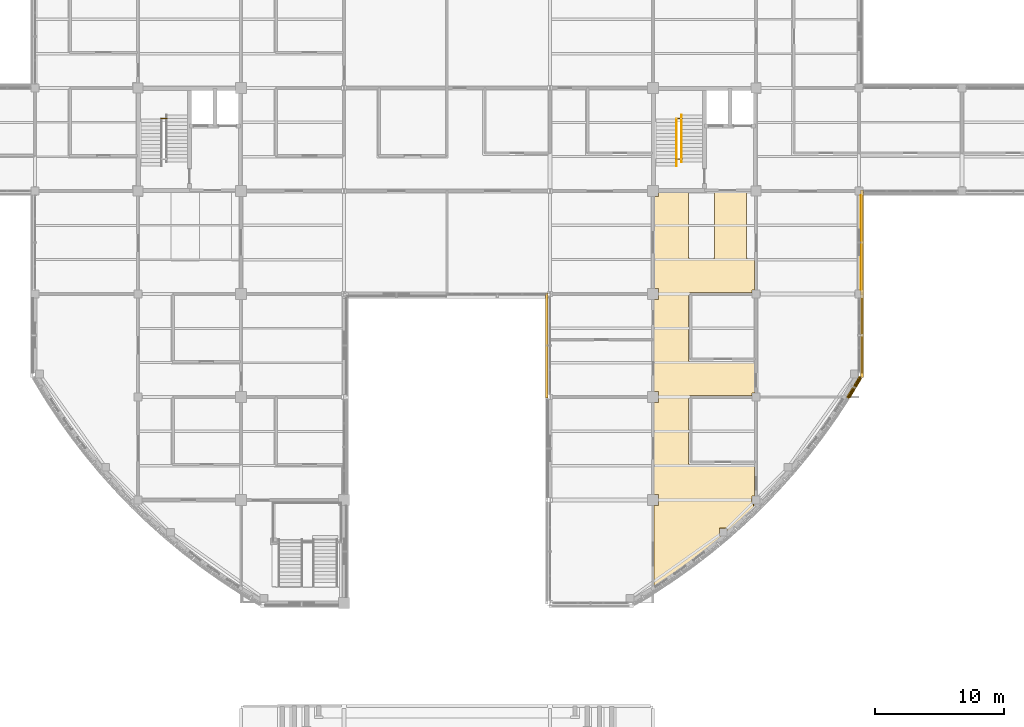
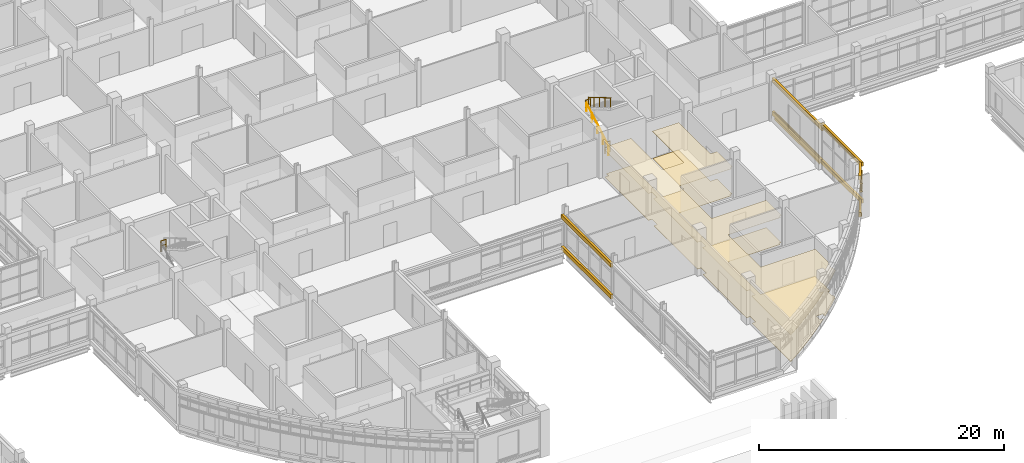
# One storey, part 113 of 121: 11 coverings, 5 railings, 4 shading devices.
"""IFC4 building model written with IfcOpenShell, lengths in metres."""

from ifc_helpers import new_model, si_unit, derived_unit, direction, frame, origin, origin_2d, place, context, subcontext, project, spatial, polyline, rectangle, circle, outline, extrude, material, layer, layer_set, material_profile, profile_set, type_object, element, save


model = new_model("IFC4")

# Units and contexts
model_context = context("Model", 3, precision=1e-05, world=origin(), true_north=direction((0.0, 1.0)))
body_context = subcontext(model_context, "Body", "Model", "MODEL_VIEW")
ifc_project = project(units=[si_unit("LENGTHUNIT", "METRE"), si_unit("AREAUNIT", "SQUARE_METRE"), si_unit("VOLUMEUNIT", "CUBIC_METRE"), si_unit("PLANEANGLEUNIT", "RADIAN"), si_unit("MASSUNIT", "GRAM", prefix="KILO"), derived_unit("THERMALTRANSMITTANCEUNIT", [(si_unit("MASSUNIT", "GRAM", prefix="KILO"), 1), (si_unit("TIMEUNIT", "SECOND"), -3), (si_unit("THERMODYNAMICTEMPERATUREUNIT", "KELVIN"), -1)])], contexts=[model_context])

# Site, building, storey
site_placement = place(None, origin())
site = spatial("IfcSite", under=ifc_project, at=site_placement, CompositionType="ELEMENT")
building_placement = place(site_placement, origin())
building = spatial("IfcBuilding", under=site, at=building_placement, Name="Veyamyaing Civic Hall", CompositionType="ELEMENT")
storey_placement = place(building_placement, frame((0.0, 0.0, 5.280029296875)))
storey = spatial("IfcBuildingStorey", under=building, at=storey_placement, Name="L01", CompositionType="ELEMENT", Elevation=5.280029296875)

# Coverings
ifc_material_1 = material(Name="Buff sandstone ashlar cladding", Category="masonry")
ifc_layer_1 = layer(ifc_material_1, 0.050048828125, Name="Buff sandstone ashlar cladding")
ifc_layer_set_1 = layer_set([ifc_layer_1], Name="Buff sandstone ashlar cladding")
covering_type_1 = type_object("IfcCoveringType", Name="CL-01", PredefinedType="CLADDING", material=ifc_layer_set_1)
covering_1_placement = place(storey_placement, frame((120.173583984375, 44.0, 0.044921875), z_axis=(0.0, 0.0, 1.0), x_axis=(0.0, 1.0, 0.0)))
element("IfcCovering", 1, at=covering_1_placement, inside=storey, type_object=covering_type_1, Name="Facade spandrel cladding CL-01 L01 E 15.6", PredefinedType="CLADDING", context=body_context, shape_type="SweptSolid", body=[
    extrude(rectangle(XDim=7.35009765625, YDim=0.050048828125, at=origin_2d()), origin(), (0.0, 0.0, 1.0), 0.75),
])
ifc_material_2 = material(Name="White powder-coated aluminium 6063-T6", Category="aluminium")
ifc_layer_2 = layer(ifc_material_2, 0.2099609375, Name="White powder-coated aluminium 6063-T6")
ifc_layer_set_2 = layer_set([ifc_layer_2], Name="White powder-coated aluminium 6063-T6")
covering_type_2 = type_object("IfcCoveringType", Name="CL-03", PredefinedType="CLADDING", material=ifc_layer_set_2)
for number, where, z_axis, x_axis, name in (
    (2, (119.605224609375, 32.75927734375, 0.27001953125), (0.0, 0.0, 1.0), (0.516106513571, 0.856524411006, 0.0), "Continuous white corner ribbon CL-03 L01 SE.14.1"),
    (3, (119.605224609375, 32.75927734375, 3.945068359375), (0.0, 0.0, 1.0), (0.516106513571, 0.856524411006, 0.0), "Continuous white corner ribbon CL-03 L01 SE.14.2"),
):
    element("IfcCovering", number, at=place(storey_placement, frame(where, z_axis=z_axis, x_axis=x_axis)), inside=storey, type_object=covering_type_2, Name=name, PredefinedType="CLADDING", context=body_context, shape_type="SweptSolid", body=[
        extrude(rectangle(XDim=1.93505859375, YDim=0.2099609375, at=origin_2d()), origin(), (0.0, 0.0, 1.0), 0.419921875),
    ])
for number, where, z_axis, x_axis, name in (
    (4, (95.760009765625, 36.0, 3.4140625), (0.0, 0.0, 1.0), (0.0, 1.0, 0.0), "Continuous white head fascia ribbon CL-03 L01 W 13.5"),
    (5, (95.760009765625, 36.0, 0.280029296875), (0.0, 0.0, 1.0), (0.0, 1.0, 0.0), "Continuous white sill fascia ribbon CL-03 L01 W 13.5"),
):
    element("IfcCovering", number, at=place(storey_placement, frame(where, z_axis=z_axis, x_axis=x_axis)), inside=storey, type_object=covering_type_2, Name=name, PredefinedType="CLADDING", context=body_context, shape_type="SweptSolid", body=[
        extrude(rectangle(XDim=8.1201171875, YDim=0.2099609375, at=origin_2d()), origin(), (0.0, 0.0, 1.0), 0.39990234375),
    ])
for number, where, z_axis, x_axis, name in (
    (6, (120.239990234375, 36.78466796875, 3.955078125), (0.0, 0.0, 1.0), (0.0, 1.0, 0.0), "Continuous white head fascia ribbon CL-03 L01 E 15.5"),
    (7, (120.239990234375, 36.78466796875, 0.280029296875), (0.0, 0.0, 1.0), (0.0, 1.0, 0.0), "Continuous white sill fascia ribbon CL-03 L01 E 15.5"),
):
    element("IfcCovering", number, at=place(storey_placement, frame(where, z_axis=z_axis, x_axis=x_axis)), inside=storey, type_object=covering_type_2, Name=name, PredefinedType="CLADDING", context=body_context, shape_type="SweptSolid", body=[
        extrude(rectangle(XDim=6.55078125, YDim=0.2099609375, at=origin_2d()), origin(), (0.0, 0.0, 1.0), 0.39990234375),
    ])
for number, where, z_axis, x_axis, name in (
    (8, (120.239990234375, 44.0, 3.593994140625), (0.0, 0.0, 1.0), (0.0, 1.0, 0.0), "Continuous white head fascia ribbon CL-03 L01 E 15.6"),
    (9, (120.239990234375, 44.0, 0.280029296875), (0.0, 0.0, 1.0), (0.0, 1.0, 0.0), "Continuous white sill fascia ribbon CL-03 L01 E 15.6"),
):
    element("IfcCovering", number, at=place(storey_placement, frame(where, z_axis=z_axis, x_axis=x_axis)), inside=storey, type_object=covering_type_2, Name=name, PredefinedType="CLADDING", context=body_context, shape_type="SweptSolid", body=[
        extrude(rectangle(XDim=8.1201171875, YDim=0.2099609375, at=origin_2d()), origin(), (0.0, 0.0, 1.0), 0.39990234375),
    ])
ifc_material_3 = material(Name="Perforated acoustic gypsum ceiling board")
ifc_layer_3 = layer(ifc_material_3, 0.02490234375, Name="Perforated acoustic gypsum ceiling board")
ifc_layer_set_3 = layer_set([ifc_layer_3], Name="Perforated acoustic gypsum ceiling board")
covering_type_3 = type_object("IfcCoveringType", Name="CLG-01", PredefinedType="CEILING", material=ifc_layer_set_3)
covering_2_placement = place(storey_placement, frame((0.0, 0.0, 2.699951171875)))
element("IfcCovering", 10, at=covering_2_placement, inside=storey, type_object=covering_type_3, Name="Acoustic suspended ceiling CLG-01 L01-C05", PredefinedType="CEILING", context=body_context, shape_type="SweptSolid", body=[
    extrude(outline(polyline([(106.78076171875, 42.822021484375), (106.79736328125, 42.79736328125), (106.821533203125, 42.78125), (106.8525390625, 42.77490234375), (108.6982421875, 42.77490234375), (108.7216796875, 42.778564453125), (108.741455078125, 42.787841796875), (108.7578125, 42.802490234375), (108.768798828125, 42.82080078125), (108.77490234375, 42.8525390625), (108.77490234375, 47.925048828125), (111.27490234375, 47.925048828125), (111.275390625, 42.84326171875), (111.28076171875, 42.822021484375), (111.29736328125, 42.79736328125), (111.322021484375, 42.78076171875), (111.34326171875, 42.775390625), (111.925048828125, 42.77490234375), (111.925048828125, 40.284912109375), (111.715087890625, 40.284912109375), (111.715087890625, 40.074951171875), (106.8525390625, 40.074951171875), (106.821533203125, 40.06884765625), (106.79736328125, 40.052734375), (106.78125, 40.028564453125), (106.77490234375, 39.99755859375), (106.77490234375, 34.8525390625), (106.78125, 34.821533203125), (106.79736328125, 34.79736328125), (106.821533203125, 34.78125), (106.8525390625, 34.77490234375), (111.925048828125, 34.77490234375), (111.925048828125, 32.284912109375), (111.715087890625, 32.284912109375), (111.715087890625, 32.074951171875), (106.8525390625, 32.074951171875), (106.821533203125, 32.06884765625), (106.79736328125, 32.052734375), (106.78125, 32.028564453125), (106.77490234375, 31.99755859375), (106.77490234375, 26.8525390625), (106.78125, 26.821533203125), (106.79736328125, 26.79736328125), (106.821533203125, 26.78125), (106.8525390625, 26.77490234375), (111.925048828125, 26.77490234375), (111.925048828125, 24.284912109375), (111.715087890625, 24.284912109375), (111.715087890625, 23.715087890625), (111.844970703125, 23.715087890625), (111.844970703125, 23.335693359375), (110.9736328125, 22.496337890625), (109.751708984375, 21.404296875), (109.751708984375, 21.789794921875), (109.181640625, 21.789794921875), (109.181640625, 21.219970703125), (109.537841796875, 21.219970703125), (108.26171875, 20.16259765625), (106.842041015625, 19.0732421875), (105.3828125, 18.037841796875), (104.074951171875, 17.181396484375), (104.074951171875, 23.590087890625), (104.409912109375, 23.590087890625), (104.409912109375, 24.409912109375), (104.074951171875, 24.409912109375), (104.074951171875, 31.590087890625), (104.409912109375, 31.590087890625), (104.409912109375, 32.409912109375), (104.074951171875, 32.409912109375), (104.074951171875, 39.590087890625), (104.409912109375, 39.590087890625), (104.409912109375, 40.409912109375), (104.074951171875, 40.409912109375), (104.074951171875, 47.590087890625), (104.409912109375, 47.590087890625), (104.409912109375, 47.925048828125), (106.77490234375, 47.925048828125), (106.775390625, 42.84326171875), (106.78076171875, 42.822021484375)])), origin(), (0.0, 0.0, 1.0), 0.02490234375),
])
ifc_material_4 = material(Name="Polished Mandalay marble and terrazzo flooring", Category="masonry")
ifc_layer_4 = layer(ifc_material_4, 0.030029296875, Name="Polished Mandalay marble and terrazzo flooring")
ifc_layer_set_4 = layer_set([ifc_layer_4], Name="Polished Mandalay marble and terrazzo flooring")
covering_type_4 = type_object("IfcCoveringType", Name="FLR-01", PredefinedType="FLOORING", material=ifc_layer_set_4)
covering_3_placement = place(storey_placement, origin())
element("IfcCovering", 11, at=covering_3_placement, inside=storey, type_object=covering_type_4, Name="Stone and terrazzo flooring FLR-01 L01-C05", PredefinedType="FLOORING", context=body_context, shape_type="SweptSolid", body=[
    extrude(outline(polyline([(106.757568359375, 42.811767578125), (106.779296875, 42.779296875), (106.811767578125, 42.757568359375), (106.85009765625, 42.75), (108.699951171875, 42.75), (108.72900390625, 42.75439453125), (108.755615234375, 42.766845703125), (108.77734375, 42.78662109375), (108.79248046875, 42.811767578125), (108.800048828125, 42.85009765625), (108.800048828125, 47.89990234375), (111.25, 47.89990234375), (111.25048828125, 42.840087890625), (111.257568359375, 42.811767578125), (111.279296875, 42.779296875), (111.311767578125, 42.757568359375), (111.340087890625, 42.75048828125), (111.89990234375, 42.75), (111.89990234375, 40.31005859375), (111.68994140625, 40.31005859375), (111.68994140625, 40.10009765625), (106.85009765625, 40.10009765625), (106.811767578125, 40.09228515625), (106.779296875, 40.07080078125), (106.757568359375, 40.038330078125), (106.75, 40.0), (106.75, 34.85009765625), (106.757568359375, 34.811767578125), (106.779296875, 34.779296875), (106.811767578125, 34.757568359375), (106.85009765625, 34.75), (111.89990234375, 34.75), (111.89990234375, 32.31005859375), (111.68994140625, 32.31005859375), (111.68994140625, 32.10009765625), (106.85009765625, 32.10009765625), (106.811767578125, 32.09228515625), (106.779296875, 32.07080078125), (106.757568359375, 32.038330078125), (106.75, 32.0), (106.75, 26.85009765625), (106.757568359375, 26.811767578125), (106.779296875, 26.779296875), (106.811767578125, 26.757568359375), (106.85009765625, 26.75), (111.89990234375, 26.75), (111.89990234375, 24.31005859375), (111.68994140625, 24.31005859375), (111.68994140625, 23.68994140625), (111.820068359375, 23.68994140625), (111.820068359375, 23.346435546875), (110.95654296875, 22.5146484375), (109.776611328125, 21.460205078125), (109.776611328125, 21.81494140625), (109.156494140625, 21.81494140625), (109.156494140625, 21.19482421875), (109.468505859375, 21.19482421875), (108.24609375, 20.18212890625), (106.8271484375, 19.093505859375), (105.36865234375, 18.05859375), (104.10009765625, 17.227783203125), (104.10009765625, 23.56494140625), (104.43505859375, 23.56494140625), (104.43505859375, 24.43505859375), (104.10009765625, 24.43505859375), (104.10009765625, 31.56494140625), (104.43505859375, 31.56494140625), (104.43505859375, 32.43505859375), (104.10009765625, 32.43505859375), (104.10009765625, 39.56494140625), (104.43505859375, 39.56494140625), (104.43505859375, 40.43505859375), (104.10009765625, 40.43505859375), (104.10009765625, 47.56494140625), (104.43505859375, 47.56494140625), (104.43505859375, 47.89990234375), (106.75, 47.89990234375), (106.75048828125, 42.840087890625), (106.757568359375, 42.811767578125)])), origin(), (0.0, 0.0, 1.0), 0.030029296875),
])

# Railings
ifc_material_5 = material(Name="Steel S355J2", Category="steel")
railing_type_1 = type_object("IfcRailingType", Name="RL-01", PredefinedType="BALUSTRADE", material=ifc_material_5)
for number, where, name in (
    (12, (65.780029296875, 53.6298828125, 2.31005859375), "Half-landing slot guard RL-01 ST-05 L01"),
    (13, (105.780029296875, 53.6298828125, 2.31005859375), "Half-landing slot guard RL-01 ST-06 L01"),
):
    element("IfcRailing", number, at=place(storey_placement, frame(where)), inside=storey, type_object=railing_type_1, Name=name, PredefinedType="BALUSTRADE", context=body_context, shape_type="SweptSolid", body=[
        extrude(circle(Radius=0.02392578125, at=origin_2d()), frame((0.0, 0.0, 1.076171875), z_axis=(1.0, 0.0, 0.0), x_axis=(0.0, 1.0, 0.0)), (0.0, 0.0, 1.0), 0.489990234375),
        extrude(circle(Radius=0.01416015625, at=origin_2d()), frame((0.0, 0.0, 0.572021484375), z_axis=(1.0, 0.0, 0.0), x_axis=(0.0, 1.0, 0.0)), (0.0, 0.0, 1.0), 0.489990234375),
        extrude(circle(Radius=0.02099609375, at=origin_2d()), origin(), (0.0, 0.0, 1.0), 1.052001953125),
        extrude(circle(Radius=0.02099609375, at=origin_2d()), frame((0.489990234375, 0.0, 0.0)), (0.0, 0.0, 1.0), 1.052001953125),
    ])
railing_1_placement = place(storey_placement, frame((105.800048828125, 50.47998046875, 0.0)))
element("IfcRailing", 14, at=railing_1_placement, inside=storey, type_object=railing_type_1, Name="Floor-landing slot guard RL-01 ST-06 L01", PredefinedType="BALUSTRADE", context=body_context, shape_type="SweptSolid", body=[
    extrude(circle(Radius=0.02392578125, at=origin_2d()), frame((0.0, 0.0, 1.076171875), z_axis=(1.0, 0.0, 0.0), x_axis=(0.0, 1.0, 0.0)), (0.0, 0.0, 1.0), 0.469970703125),
    extrude(circle(Radius=0.01416015625, at=origin_2d()), frame((0.0, 0.0, 0.572021484375), z_axis=(1.0, 0.0, 0.0), x_axis=(0.0, 1.0, 0.0)), (0.0, 0.0, 1.0), 0.469970703125),
    extrude(circle(Radius=0.02099609375, at=origin_2d()), origin(), (0.0, 0.0, 1.0), 1.052001953125),
    extrude(circle(Radius=0.02099609375, at=origin_2d()), frame((0.469970703125, 0.0, 0.0)), (0.0, 0.0, 1.0), 1.052001953125),
])
railing_type_2 = type_object("IfcRailingType", Name="RL-02", PredefinedType="HANDRAIL", material=ifc_material_5)
railing_2_placement = place(storey_placement, frame((105.840087890625, 49.949951171875, 0.1650390625)))
element("IfcRailing", 15, at=railing_2_placement, inside=storey, type_object=railing_type_2, Name="Stair pitch handrail RL-02 ST-06 L01.1", PredefinedType="HANDRAIL", context=body_context, shape_type="SweptSolid", body=[
    extrude(circle(Radius=0.02392578125, at=origin_2d()), frame((0.0, 0.0, 0.89599609375), z_axis=(0.0, 0.861544779993, 0.507681585313), x_axis=(-1.0, 0.0, 0.0)), (0.0, 0.0, 1.0), 4.22509765625),
    extrude(circle(Radius=0.02099609375, at=origin_2d()), origin(), (0.0, 0.0, 1.0), 0.871826171875),
    extrude(circle(Radius=0.02099609375, at=origin_2d()), frame((0.0, 0.91015625, 0.5361328125)), (0.0, 0.0, 1.0), 0.871826171875),
    extrude(circle(Radius=0.02099609375, at=origin_2d()), frame((0.0, 1.820068359375, 1.072509765625)), (0.0, 0.0, 1.0), 0.871826171875),
    extrude(circle(Radius=0.02099609375, at=origin_2d()), frame((0.0, 2.72998046875, 1.60888671875)), (0.0, 0.0, 1.0), 0.871826171875),
    extrude(circle(Radius=0.02099609375, at=origin_2d()), frame((0.0, 3.64013671875, 2.14501953125)), (0.0, 0.0, 1.0), 0.871826171875),
])
railing_3_placement = place(storey_placement, frame((106.219970703125, 53.909912109375, 2.474853515625)))
element("IfcRailing", 16, at=railing_3_placement, inside=storey, type_object=railing_type_2, Name="Stair pitch handrail RL-02 ST-06 L01.2", PredefinedType="HANDRAIL", context=body_context, shape_type="SweptSolid", body=[
    extrude(circle(Radius=0.02392578125, at=origin_2d()), frame((0.0, 0.0, 0.89599609375), z_axis=(0.0, -0.861529885852, 0.507706860091), x_axis=(1.0, 0.0, 0.0)), (0.0, 0.0, 1.0), 4.224853515625),
    extrude(circle(Radius=0.02099609375, at=origin_2d()), origin(), (0.0, 0.0, 1.0), 0.871826171875),
    extrude(circle(Radius=0.02099609375, at=origin_2d()), frame((0.0, -0.909912109375, 0.5361328125)), (0.0, 0.0, 1.0), 0.871826171875),
    extrude(circle(Radius=0.02099609375, at=origin_2d()), frame((0.0, -1.81982421875, 1.072509765625)), (0.0, 0.0, 1.0), 0.871826171875),
    extrude(circle(Radius=0.02099609375, at=origin_2d()), frame((0.0, -2.72998046875, 1.60888671875)), (0.0, 0.0, 1.0), 0.871826171875),
    extrude(circle(Radius=0.02099609375, at=origin_2d()), frame((0.0, -3.639892578125, 2.14501953125)), (0.0, 0.0, 1.0), 0.871826171875),
])

# Shading devices
ifc_material_profile = material_profile(ifc_material_2, circle(Radius=0.110107421875, at=origin_2d()), Name="SHADE-TUBE-220")
ifc_profile_set = profile_set([ifc_material_profile], Name="White powder-coated aluminium 6063-T6")
shading_device_type = type_object("IfcShadingDeviceType", Name="SH-01", PredefinedType="USERDEFINED", material=ifc_profile_set)
for number, where, z_axis, x_axis, name in (
    (17, (119.210693359375, 31.94921875, 2.75), (0.51607516088, 0.856543302071, 0.0), (-0.856543302071, 0.51607516088, 0.0), "White corner sunshade ribbon SH-01 L01 SE.14.1"),
    (18, (119.210693359375, 31.94921875, 3.550048828125), (0.51607516088, 0.856543302071, 0.0), (-0.856543302071, 0.51607516088, 0.0), "White corner sunshade ribbon SH-01 L01 SE.14.2"),
):
    element("IfcShadingDevice", number, at=place(storey_placement, frame(where, z_axis=z_axis, x_axis=x_axis)), inside=storey, type_object=shading_device_type, Name=name, ObjectType="SUNSHADE", PredefinedType="USERDEFINED", context=body_context, shape_type="SweptSolid", body=[
        extrude(circle(Radius=0.110107421875, at=origin_2d()), origin(), (0.0, 0.0, 1.0), 1.794921875),
    ])
shading_device_1_placement = place(storey_placement, frame((120.239990234375, 33.854248046875, 4.114990234375), z_axis=(0.0, 1.0, 0.0), x_axis=(-1.0, 0.0, 0.0)))
element("IfcShadingDevice", 19, at=shading_device_1_placement, inside=storey, type_object=shading_device_type, Name="Horizontal white sunshade ribbon SH-01 L01 E 15.5", ObjectType="SUNSHADE", PredefinedType="USERDEFINED", context=body_context, shape_type="SweptSolid", body=[
    extrude(circle(Radius=0.110107421875, at=origin_2d()), origin(), (0.0, 0.0, 1.0), 5.86083984375),
])
shading_device_2_placement = place(storey_placement, frame((120.239990234375, 40.284912109375, 3.75390625), z_axis=(0.0, 1.0, 0.0), x_axis=(-1.0, 0.0, 0.0)))
element("IfcShadingDevice", 20, at=shading_device_2_placement, inside=storey, type_object=shading_device_type, Name="Horizontal white sunshade ribbon SH-01 L01 E 15.6", ObjectType="SUNSHADE", PredefinedType="USERDEFINED", context=body_context, shape_type="SweptSolid", body=[
    extrude(circle(Radius=0.110107421875, at=origin_2d()), origin(), (0.0, 0.0, 1.0), 7.43017578125),
])

save(model, "model.ifc")
